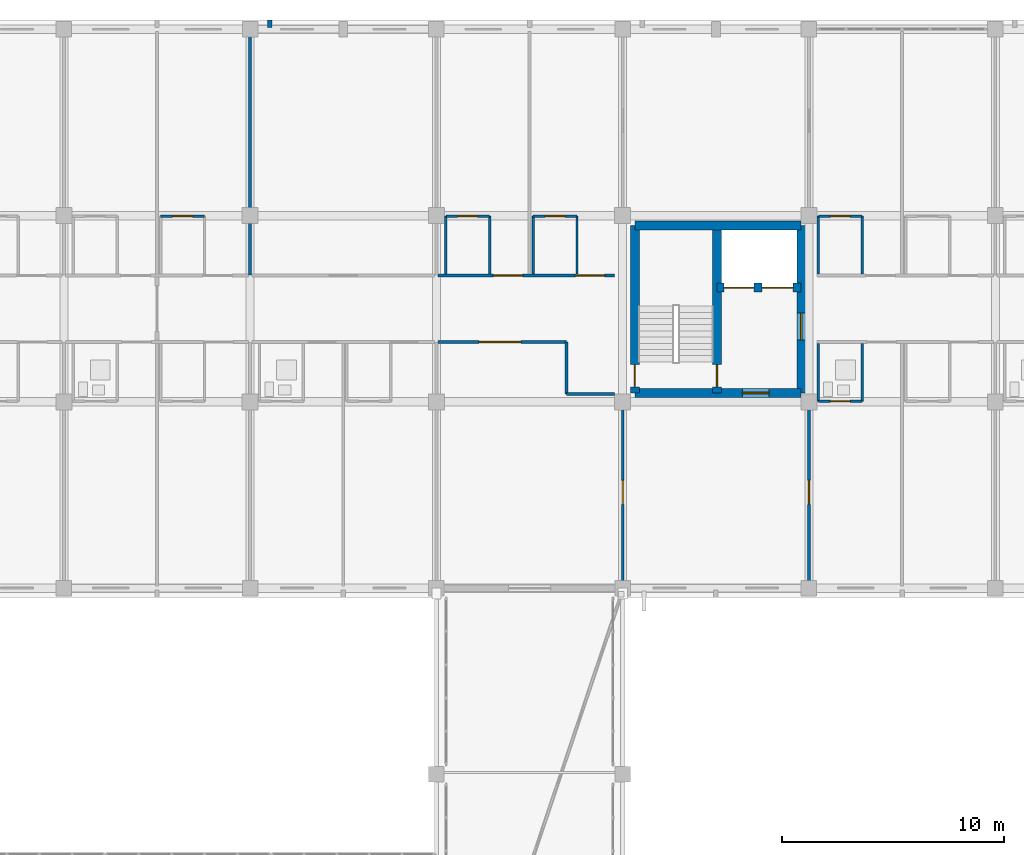
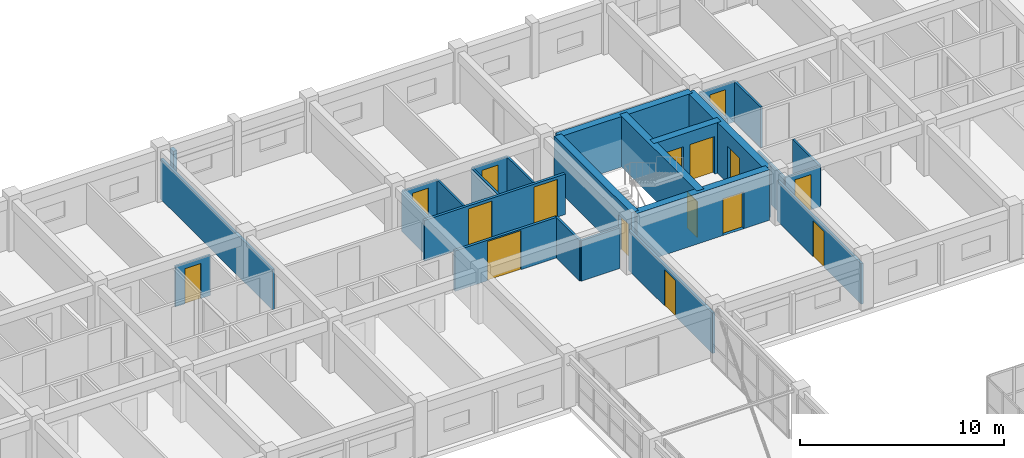
# One storey, part 127 of 148: 27 walls, 16 doors, 16 openings.
"""IFC4 building model written with IfcOpenShell, lengths in metres."""

import ifcopenshell
import ifcopenshell.guid

model = None  # the IFC model being written
_history = None  # IfcOwnerHistory: only IFC2X3 demands one
_inside = {}  # id of a spatial element -> (the spatial element, [elements in it])
_under = {}  # id of a project, library or spatial element -> (it, [spatial elements below it])
_declared = {}  # id of a project -> (the project, [libraries it declares])
_typed = {}  # id of a type object -> (the type object, [elements of that type])
_made_of = {}  # id of a material, layer set ... -> (it, [elements and type objects made of it])


def new_model(schema):
    """Start an empty IFC model of exactly this schema.

    Asked for "IFC4X3", IfcOpenShell would pick the latest addendum, in which some entities
    have other attributes; the version numbers below select the first issue.
    IFC2X3 requires an IfcOwnerHistory on every rooted entity: one is made here for all.
    """
    global model, _history
    if schema == "IFC4X3":
        model = ifcopenshell.file(schema_version=(4, 3, 0, 0))
    else:
        model = ifcopenshell.file(schema=schema)
    _inside.clear()
    _under.clear()
    _declared.clear()
    _typed.clear()
    _made_of.clear()
    _history = None
    if model.schema == "IFC2X3":
        org = make("IfcOrganization", Name="unknown")
        user = make(
            "IfcPersonAndOrganization",
            ThePerson=make("IfcPerson", FamilyName="unknown"),
            TheOrganization=org,
        )
        app = make(
            "IfcApplication",
            ApplicationDeveloper=org,
            Version="unknown",
            ApplicationFullName="unknown",
            ApplicationIdentifier="unknown",
        )
        _history = make(
            "IfcOwnerHistory",
            OwningUser=user,
            OwningApplication=app,
            ChangeAction="ADDED",
            CreationDate=0,
        )
    return model


def make(cls, **values):
    """One entity of the class cls with the attributes given. An attribute that is None is left unset."""
    return model.create_entity(
        cls, **{name: value for name, value in values.items() if value is not None}
    )


def rooted(cls, **values):
    """An entity with a GlobalId (a new one), such as an element, a storey or a relation."""
    return make(cls, GlobalId=ifcopenshell.guid.new(), OwnerHistory=_history, **values)


def si_unit(unit_type, name, prefix=None):
    """IfcSIUnit, for example si_unit("LENGTHUNIT", "METRE", prefix="MILLI")."""
    return make("IfcSIUnit", UnitType=unit_type, Prefix=prefix, Name=name)


def assignment(units):
    """IfcUnitAssignment: the units of a project."""
    return None if units is None else make("IfcUnitAssignment", Units=units)


def point(xyz):
    """IfcCartesianPoint."""
    return None if xyz is None else make("IfcCartesianPoint", Coordinates=xyz)


def direction(xyz):
    """IfcDirection."""
    return None if xyz is None else make("IfcDirection", DirectionRatios=xyz)


def frame(location, z_axis=None, x_axis=None):
    """IfcAxis2Placement3D, a coordinate frame: its origin and axes. An axis left out is left unset."""
    return make(
        "IfcAxis2Placement3D",
        Location=point(location),
        Axis=direction(z_axis),
        RefDirection=direction(x_axis),
    )


def frame_2d(location, x_axis=None):
    """IfcAxis2Placement2D, a coordinate frame in the plane: its origin and x axis."""
    return make(
        "IfcAxis2Placement2D", Location=point(location), RefDirection=direction(x_axis)
    )


def origin():
    """The frame at (0, 0, 0) with its axes left unset."""
    return frame((0.0, 0.0, 0.0))


def place(relative_to, where):
    """IfcLocalPlacement: puts the frame where relative to a parent placement (None: the world)."""
    return make(
        "IfcLocalPlacement", PlacementRelTo=relative_to, RelativePlacement=where
    )


def context(
    kind, dimensions, precision=None, world=None, true_north=None, identifier=None
):
    """IfcGeometricRepresentationContext, for example the 3D "Model" context."""
    return make(
        "IfcGeometricRepresentationContext",
        ContextIdentifier=identifier,
        ContextType=kind,
        CoordinateSpaceDimension=dimensions,
        Precision=precision,
        WorldCoordinateSystem=world,
        TrueNorth=true_north,
    )


def subcontext(parent, identifier, kind, view, scale=None):
    """IfcGeometricRepresentationSubContext, for example "Body" below "Model"."""
    return make(
        "IfcGeometricRepresentationSubContext",
        ContextIdentifier=identifier,
        ContextType=kind,
        ParentContext=parent,
        TargetScale=scale,
        TargetView=view,
    )


def project(units=None, contexts=None):
    """IfcProject with its units and contexts."""
    return rooted(
        "IfcProject",
        Name="project",
        RepresentationContexts=contexts,
        UnitsInContext=assignment(units),
    )


def spatial(cls, under=None, at=None, **own):
    """A site, building, storey or space (cls), placed at a placement, below another one or the project."""
    s = rooted(cls, ObjectPlacement=at, **own)
    if under is not None:
        _under.setdefault(under.id(), (under, []))[1].append(s)
    return s


def profile(cls, at=None, kind="AREA", **sizes):
    """A parametric profile (cls). Its sizes go by their IFC names, for example OverallWidth=200.0."""
    return make(cls, ProfileType=kind, Position=at, **sizes)


def rectangle(**sizes):
    """IfcRectangleProfileDef."""
    return profile("IfcRectangleProfileDef", **sizes)


def extrude(swept, where, along, depth):
    """IfcExtrudedAreaSolid: the profile swept, set in the frame where, extruded along a direction by depth."""
    return make(
        "IfcExtrudedAreaSolid",
        SweptArea=swept,
        Position=where,
        ExtrudedDirection=direction(along),
        Depth=depth,
    )


def shape(context_of_items, identifier, shape_type, items):
    """IfcShapeRepresentation: the items that make up one representation, for example the "Body"."""
    return make(
        "IfcShapeRepresentation",
        ContextOfItems=context_of_items,
        RepresentationIdentifier=identifier,
        RepresentationType=shape_type,
        Items=items,
    )


def material(Name=None, Category=None):
    """IfcMaterial."""
    return make("IfcMaterial", Name=Name, Category=Category)


def layer(
    of_material, thickness, ventilated=None, Name=None, Category=None, Priority=None
):
    """IfcMaterialLayer: one layer of a wall or slab, of a material (None: an air gap)."""
    return make(
        "IfcMaterialLayer",
        Material=of_material,
        LayerThickness=thickness,
        IsVentilated=ventilated,
        Name=Name,
        Category=Category,
        Priority=Priority,
    )


def layer_set(layers, Name=None):
    """IfcMaterialLayerSet."""
    return make("IfcMaterialLayerSet", MaterialLayers=layers, LayerSetName=Name)


def made_of(thing, what):
    """Note that an element or type object is made of a material, layer set ...; save() writes the relation."""
    if what is not None:
        _made_of.setdefault(what.id(), (what, []))[1].append(thing)
    return thing


def type_object(cls, material=None, **own):
    """A type object (cls), such as IfcWallType, which elements share."""
    return made_of(rooted(cls, **own), material)


def element(
    cls,
    number,
    at=None,
    inside=None,
    cuts=None,
    type_object=None,
    material=None,
    context=None,
    identifier="Body",
    shape_type=None,
    held_by="IfcProductDefinitionShape",
    body=None,
    shapes=None,
    **own,
):
    """One element of the class cls, such as IfcWall. Its Tag is "e" and its number.

    at: its placement. inside: the storey or other place that contains it. cuts: it is an
    opening in that element (IfcRelVoidsElement). A single representation is given by context,
    identifier, shape_type and body (its items); several are given by shapes. held_by: the class
    of the entity that holds the representations. save() writes the other relations.
    """
    e = rooted(cls, Tag="e%d" % number, ObjectPlacement=at, **own)
    if body is not None:
        shapes = [shape(context, identifier, shape_type, body)]
    if shapes is not None:
        e.Representation = make(held_by, Representations=shapes)
    if inside is not None:
        _inside.setdefault(inside.id(), (inside, []))[1].append(e)
    if cuts is not None:
        rooted(
            "IfcRelVoidsElement", RelatingBuildingElement=cuts, RelatedOpeningElement=e
        )
    if type_object is not None:
        _typed.setdefault(type_object.id(), (type_object, []))[1].append(e)
    return made_of(e, material)


def fill(opening, filler):
    """IfcRelFillsElement: the door or window that sits in an opening."""
    return rooted(
        "IfcRelFillsElement",
        RelatingOpeningElement=opening,
        RelatedBuildingElement=filler,
    )


def aggregate(whole, parts):
    """IfcRelAggregates: a whole, such as a stair, and the parts it consists of."""
    return rooted("IfcRelAggregates", RelatingObject=whole, RelatedObjects=parts)


def save(model, path):
    """Write the relations noted so far, then the file.

    IfcRelAggregates (storeys below a building ...), IfcRelContainedInSpatialStructure (elements
    in a storey), IfcRelDefinesByType, IfcRelAssociatesMaterial and IfcRelDeclares: one each for
    every whole, place, type object, material and project.
    """
    for whole, parts in _under.values():
        aggregate(whole, parts)
    for where, things in _inside.values():
        rooted(
            "IfcRelContainedInSpatialStructure",
            RelatedElements=things,
            RelatingStructure=where,
        )
    for kind, things in _typed.values():
        rooted("IfcRelDefinesByType", RelatedObjects=things, RelatingType=kind)
    for what, things in _made_of.values():
        rooted("IfcRelAssociatesMaterial", RelatedObjects=things, RelatingMaterial=what)
    for by, libraries in _declared.values():
        rooted("IfcRelDeclares", RelatingContext=by, RelatedDefinitions=libraries)
    model.write(path)


model = new_model("IFC4")

# Units and contexts
model_context = context("Model", 3, precision=1e-05, world=origin(), true_north=direction((0.0, 1.0)))
body_context = subcontext(model_context, "Body", "Model", "MODEL_VIEW")
ifc_project = project(units=[si_unit("LENGTHUNIT", "METRE"), si_unit("AREAUNIT", "SQUARE_METRE"), si_unit("VOLUMEUNIT", "CUBIC_METRE"), si_unit("PLANEANGLEUNIT", "RADIAN"), si_unit("MASSUNIT", "GRAM", prefix="KILO")], contexts=[model_context])

# Site, building, storey
site_placement = place(None, origin())
site = spatial("IfcSite", under=ifc_project, at=site_placement, CompositionType="ELEMENT")
building_placement = place(site_placement, origin())
building = spatial("IfcBuilding", under=site, at=building_placement, Name="Trelvath General Hospital", CompositionType="ELEMENT")
storey_placement = place(building_placement, frame((0.0, 0.0, 12.89990234375)))
storey = spatial("IfcBuildingStorey", under=building, at=storey_placement, Name="L03", CompositionType="ELEMENT", Elevation=12.89990234375)

# Wall
ifc_material_1 = material(Name="Precast concrete C40/50", Category="concrete")
ifc_layer_1 = layer(ifc_material_1, 0.199951171875)
ifc_layer_set_1 = layer_set([ifc_layer_1], Name="Precast concrete C40/50")
wall_type_1 = type_object("IfcWallType", Name="BriseSoleilRib 200", PredefinedType="ELEMENTEDWALL", material=ifc_layer_set_1)
wall_1_placement = place(storey_placement, frame((68.084716796875, 117.675048828125, 0.0), z_axis=(0.0, 0.0, 1.0), x_axis=(0.0, 1.0, 0.0)))
element("IfcWall", 1, at=wall_1_placement, inside=storey, type_object=wall_type_1, Name="Precast Concrete Brise-Soleil Rib Fin L03-271", PredefinedType="ELEMENTEDWALL", context=body_context, shape_type="SweptSolid", body=[
    extrude(rectangle(XDim=0.33984375, YDim=0.199951171875, at=frame_2d((0.169921875, 0.0))), origin(), (0.0, 0.0, 1.0), 2.420166015625),
])

# Wall, opening, door
ifc_material_2 = material(Name="Gypsum acoustic steel-stud partition", Category="steel")
ifc_layer_2 = layer(ifc_material_2, 0.14990234375)
ifc_layer_set_2 = layer_set([ifc_layer_2], Name="Gypsum acoustic steel-stud partition")
wall_type_2 = type_object("IfcWallType", Name="ClinicalPartition 150", PredefinedType="PARTITIONING", material=ifc_layer_set_2)
wall_2_placement = place(storey_placement, frame((75.679931640625, 103.5, 0.0), z_axis=(0.0, 0.0, 1.0), x_axis=(1.0, 0.0, 0.0)))
wall_2 = element("IfcWall", 2, at=wall_2_placement, inside=storey, type_object=wall_type_2, Name="Bridge Lounge Partition L03-1307", PredefinedType="PARTITIONING", context=body_context, shape_type="SweptSolid", body=[
    extrude(rectangle(XDim=5.780029296875, YDim=0.14990234375, at=frame_2d((2.89013671875, 0.0))), origin(), (0.0, 0.0, 1.0), 2.420166015625),
])
opening_1_placement = place(wall_2_placement, frame((1.830078125, 0.0, 0.0)))
opening_1 = element("IfcOpeningElement", 3, at=opening_1_placement, cuts=wall_2, Name="Opening D-3-0939", PredefinedType="OPENING", context=body_context, shape_type="SweptSolid", body=[
    extrude(rectangle(XDim=1.89990234375, YDim=2.340087890625, at=frame_2d((0.949951171875, 1.169921875))), frame((0.0, 0.0849609375, 0.0), z_axis=(0.0, -1.0, 0.0), x_axis=(1.0, 0.0, 0.0)), (0.0, 0.0, 1.0), 0.169921875),
])
ifc_material_3 = material(Name="Thermally broken glazed aluminium pair", Category="aluminium")
door_type_1 = type_object("IfcDoorType", Name="Door BridgeEntry 1900x2400", OperationType="DOUBLE_SWING_LEFT", PredefinedType="DOOR", material=ifc_material_3)
door_1_placement = place(opening_1_placement, origin())
door_1 = element("IfcDoor", 4, at=door_1_placement, inside=storey, type_object=door_type_1, Name="Bridge Lounge Door L03-939", OperationType="DOUBLE_SWING_LEFT", OverallHeight=2.340087890625, OverallWidth=1.89990234375, PredefinedType="DOOR", context=body_context, shape_type="SweptSolid", body=[
    extrude(rectangle(XDim=1.89990234375, YDim=2.340087890625, at=frame_2d((0.949951171875, 1.169921875))), frame((0.0, 0.02490234375, 0.0), z_axis=(0.0, -1.0, 0.0), x_axis=(1.0, 0.0, 0.0)), (0.0, 0.0, 1.0), 0.050048828125),
])
fill(opening_1, door_1)

# Wall, openings, doors
wall_3_placement = place(storey_placement, frame((83.639892578125, 106.5, 0.0), z_axis=(0.0, 0.0, 1.0), x_axis=(-1.0, 0.0, 0.0)))
wall_3 = element("IfcWall", 5, at=wall_3_placement, inside=storey, type_object=wall_type_2, Name="Corridor Partition N L03-1310", PredefinedType="PARTITIONING", context=body_context, shape_type="SweptSolid", body=[
    extrude(rectangle(XDim=7.9599609375, YDim=0.14990234375, at=frame_2d((3.97998046875, 0.0))), origin(), (0.0, 0.0, 1.0), 2.420166015625),
])
opening_2_placement = place(wall_3_placement, frame((0.449951171875, 0.0, 0.0)))
opening_2 = element("IfcOpeningElement", 6, at=opening_2_placement, cuts=wall_3, Name="Opening D-3-0940", PredefinedType="OPENING", context=body_context, shape_type="SweptSolid", body=[
    extrude(rectangle(XDim=1.320068359375, YDim=2.25, at=frame_2d((0.66015625, 1.125))), frame((0.0, 0.0849609375, 0.0), z_axis=(0.0, -1.0, 0.0), x_axis=(1.0, 0.0, 0.0)), (0.0, 0.0, 1.0), 0.169921875),
])
opening_3_placement = place(wall_3_placement, frame((4.14990234375, 0.0, 0.0)))
opening_3 = element("IfcOpeningElement", 7, at=opening_3_placement, cuts=wall_3, Name="Opening D-3-0941", PredefinedType="OPENING", context=body_context, shape_type="SweptSolid", body=[
    extrude(rectangle(XDim=1.320068359375, YDim=2.25, at=frame_2d((0.66015625, 1.125))), frame((0.0, 0.0849609375, 0.0), z_axis=(0.0, -1.0, 0.0), x_axis=(1.0, 0.0, 0.0)), (0.0, 0.0, 1.0), 0.169921875),
])
ifc_material_4 = material(Name="Maternity bed-leaf timber door", Category="wood")
door_type_2 = type_object("IfcDoorType", Name="Door PatientMaternity 1320x2250", OperationType="NOTDEFINED", PredefinedType="DOOR", material=ifc_material_4)
door_2_placement = place(opening_2_placement, origin())
door_2 = element("IfcDoor", 8, at=door_2_placement, inside=storey, type_object=door_type_2, Name="Patient Room Door N L03-940", OperationType="SINGLE_SWING_LEFT", OverallHeight=2.25, OverallWidth=1.320068359375, PredefinedType="DOOR", context=body_context, shape_type="SweptSolid", body=[
    extrude(rectangle(XDim=1.320068359375, YDim=2.25, at=frame_2d((0.66015625, 1.125))), frame((0.0, 0.02490234375, 0.0), z_axis=(0.0, -1.0, 0.0), x_axis=(1.0, 0.0, 0.0)), (0.0, 0.0, 1.0), 0.050048828125),
])
fill(opening_2, door_2)
door_3_placement = place(opening_3_placement, origin())
door_3 = element("IfcDoor", 9, at=door_3_placement, inside=storey, type_object=door_type_2, Name="Patient Room Door N L03-941", OperationType="SINGLE_SWING_LEFT", OverallHeight=2.25, OverallWidth=1.320068359375, PredefinedType="DOOR", context=body_context, shape_type="SweptSolid", body=[
    extrude(rectangle(XDim=1.320068359375, YDim=2.25, at=frame_2d((0.66015625, 1.125))), frame((0.0, 0.02490234375, 0.0), z_axis=(0.0, -1.0, 0.0), x_axis=(1.0, 0.0, 0.0)), (0.0, 0.0, 1.0), 0.050048828125),
])
fill(opening_3, door_3)

# Wall, opening, door
ifc_material_5 = material(Name="Concrete C40/50", Category="concrete")
ifc_layer_3 = layer(ifc_material_5, 0.39990234375)
ifc_layer_set_3 = layer_set([ifc_layer_3], Name="Concrete C40/50")
wall_type_3 = type_object("IfcWallType", Name="CoreShearWall 400", PredefinedType="SHEAR", material=ifc_layer_set_3)
wall_4_placement = place(storey_placement, frame((84.550048828125, 101.199951171875, 0.0), z_axis=(0.0, 0.0, 1.0), x_axis=(1.0, 0.0, 0.0)))
wall_4 = element("IfcWall", 10, at=wall_4_placement, inside=storey, type_object=wall_type_3, Name="Core Shear Wall C2 S L03", PredefinedType="SHEAR", context=body_context, shape_type="SweptSolid", body=[
    extrude(rectangle(XDim=7.5, YDim=0.39990234375, at=frame_2d((3.75, 0.0))), origin(), (0.0, 0.0, 1.0), 3.02001953125),
])
opening_4_placement = place(wall_4_placement, frame((4.85009765625, 0.0, 0.0)))
opening_4 = element("IfcOpeningElement", 11, at=opening_4_placement, cuts=wall_4, Name="Opening FD-LS23", PredefinedType="OPENING", context=body_context, shape_type="SweptSolid", body=[
    extrude(rectangle(XDim=1.199951171875, YDim=2.199951171875, at=frame_2d((0.60009765625, 1.10009765625))), frame((0.0, 0.2099609375, 0.0), z_axis=(0.0, -1.0, 0.0), x_axis=(1.0, 0.0, 0.0)), (0.0, 0.0, 1.0), 0.419921875),
])
ifc_material_6 = material(Name="Fire-rated steel door", Category="steel")
door_type_3 = type_object("IfcDoorType", Name="Door FireLobby 1200x2200", OperationType="NOTDEFINED", PredefinedType="DOOR", material=ifc_material_6)
door_4_placement = place(opening_4_placement, origin())
door_4 = element("IfcDoor", 12, at=door_4_placement, inside=storey, type_object=door_type_3, Name="Fire Lobby South Door C2 L03", OperationType="SINGLE_SWING_RIGHT", OverallHeight=2.199951171875, OverallWidth=1.199951171875, PredefinedType="DOOR", context=body_context, shape_type="SweptSolid", body=[
    extrude(rectangle(XDim=1.199951171875, YDim=2.199951171875, at=frame_2d((0.60009765625, 1.10009765625))), frame((0.0, 0.02490234375, 0.0), z_axis=(0.0, -1.0, 0.0), x_axis=(1.0, 0.0, 0.0)), (0.0, 0.0, 1.0), 0.050048828125),
])
fill(opening_4, door_4)

# Wall
wall_5_placement = place(storey_placement, frame((84.550048828125, 108.75, 0.0), z_axis=(0.0, 0.0, 1.0), x_axis=(1.0, 0.0, 0.0)))
element("IfcWall", 13, at=wall_5_placement, inside=storey, type_object=wall_type_3, Name="Core Shear Wall C2 N L03", PredefinedType="SHEAR", context=body_context, shape_type="SweptSolid", body=[
    extrude(rectangle(XDim=7.5, YDim=0.39990234375, at=frame_2d((3.75, 0.0))), origin(), (0.0, 0.0, 1.0), 3.02001953125),
])

# Wall, opening, door
wall_6_placement = place(storey_placement, frame((84.550048828125, 101.199951171875, 0.0), z_axis=(0.0, 0.0, 1.0), x_axis=(0.0, 1.0, 0.0)))
wall_6 = element("IfcWall", 14, at=wall_6_placement, inside=storey, type_object=wall_type_3, Name="Core Shear Wall C2 W L03", PredefinedType="SHEAR", context=body_context, shape_type="SweptSolid", body=[
    extrude(rectangle(XDim=7.550048828125, YDim=0.39990234375, at=frame_2d((3.77490234375, 0.0))), origin(), (0.0, 0.0, 1.0), 3.02001953125),
])
opening_5_placement = place(wall_6_placement, frame((0.280029296875, 0.0, 0.0)))
opening_5 = element("IfcOpeningElement", 15, at=opening_5_placement, cuts=wall_6, Name="Opening FD-SW23", PredefinedType="OPENING", context=body_context, shape_type="SweptSolid", body=[
    extrude(rectangle(XDim=1.0, YDim=2.14990234375, at=frame_2d((0.5, 1.074951171875))), frame((0.0, 0.2099609375, 0.0), z_axis=(0.0, -1.0, 0.0), x_axis=(1.0, 0.0, 0.0)), (0.0, 0.0, 1.0), 0.419921875),
])
ifc_material_7 = material(Name="Fire-rated steel door", Category="steel")
door_type_4 = type_object("IfcDoorType", Name="Door FireStair 1100x2150", OperationType="NOTDEFINED", PredefinedType="DOOR", material=ifc_material_7)
door_5_placement = place(opening_5_placement, origin())
door_5 = element("IfcDoor", 16, at=door_5_placement, inside=storey, type_object=door_type_4, Name="West Corridor Stair Door ST2 L03", OperationType="SINGLE_SWING_LEFT", OverallHeight=2.14990234375, OverallWidth=1.0, PredefinedType="DOOR", context=body_context, shape_type="SweptSolid", body=[
    extrude(rectangle(XDim=1.0, YDim=2.14990234375, at=frame_2d((0.5, 1.074951171875))), frame((0.0, 0.02490234375, 0.0), z_axis=(0.0, -1.0, 0.0), x_axis=(1.0, 0.0, 0.0)), (0.0, 0.0, 1.0), 0.050048828125),
])
fill(opening_5, door_5)

wall_7_placement = place(storey_placement, frame((92.050048828125, 101.199951171875, 0.0), z_axis=(0.0, 0.0, 1.0), x_axis=(0.0, 1.0, 0.0)))
wall_7 = element("IfcWall", 17, at=wall_7_placement, inside=storey, type_object=wall_type_3, Name="Core Shear Wall C2 E L03", PredefinedType="SHEAR", context=body_context, shape_type="SweptSolid", body=[
    extrude(rectangle(XDim=7.550048828125, YDim=0.39990234375, at=frame_2d((3.77490234375, 0.0))), origin(), (0.0, 0.0, 1.0), 3.02001953125),
])
opening_6_placement = place(wall_7_placement, frame((2.39990234375, 0.0, 0.0)))
opening_6 = element("IfcOpeningElement", 18, at=opening_6_placement, cuts=wall_7, Name="Opening FD-LE23", PredefinedType="OPENING", context=body_context, shape_type="SweptSolid", body=[
    extrude(rectangle(XDim=1.199951171875, YDim=2.199951171875, at=frame_2d((0.60009765625, 1.10009765625))), frame((0.0, 0.2099609375, 0.0), z_axis=(0.0, -1.0, 0.0), x_axis=(1.0, 0.0, 0.0)), (0.0, 0.0, 1.0), 0.419921875),
])
door_6_placement = place(opening_6_placement, origin())
door_6 = element("IfcDoor", 19, at=door_6_placement, inside=storey, type_object=door_type_3, Name="Fire Lobby East Corridor Door C2 L03", OperationType="SINGLE_SWING_LEFT", OverallHeight=2.199951171875, OverallWidth=1.199951171875, PredefinedType="DOOR", context=body_context, shape_type="SweptSolid", body=[
    extrude(rectangle(XDim=1.199951171875, YDim=2.199951171875, at=frame_2d((0.60009765625, 1.10009765625))), frame((0.0, 0.02490234375, 0.0), z_axis=(0.0, -1.0, 0.0), x_axis=(1.0, 0.0, 0.0)), (0.0, 0.0, 1.0), 0.050048828125),
])
fill(opening_6, door_6)

wall_8_placement = place(storey_placement, frame((88.25, 101.199951171875, 0.0), z_axis=(0.0, 0.0, 1.0), x_axis=(0.0, 1.0, 0.0)))
wall_8 = element("IfcWall", 20, at=wall_8_placement, inside=storey, type_object=wall_type_3, Name="Core Shear Wall C2 SPINE L03", PredefinedType="SHEAR", context=body_context, shape_type="SweptSolid", body=[
    extrude(rectangle(XDim=7.550048828125, YDim=0.39990234375, at=frame_2d((3.77490234375, 0.0))), origin(), (0.0, 0.0, 1.0), 3.02001953125),
])
opening_7_placement = place(wall_8_placement, frame((0.280029296875, 0.0, 0.0)))
opening_7 = element("IfcOpeningElement", 21, at=opening_7_placement, cuts=wall_8, Name="Opening FD-S23", PredefinedType="OPENING", context=body_context, shape_type="SweptSolid", body=[
    extrude(rectangle(XDim=1.0, YDim=2.14990234375, at=frame_2d((0.5, 1.074951171875))), frame((0.0, 0.2099609375, 0.0), z_axis=(0.0, -1.0, 0.0), x_axis=(1.0, 0.0, 0.0)), (0.0, 0.0, 1.0), 0.419921875),
])
door_7_placement = place(opening_7_placement, origin())
door_7 = element("IfcDoor", 22, at=door_7_placement, inside=storey, type_object=door_type_4, Name="Exit Stair Door ST2 L03", OperationType="SINGLE_SWING_RIGHT", OverallHeight=2.14990234375, OverallWidth=1.0, PredefinedType="DOOR", context=body_context, shape_type="SweptSolid", body=[
    extrude(rectangle(XDim=1.0, YDim=2.14990234375, at=frame_2d((0.5, 1.074951171875))), frame((0.0, 0.02490234375, 0.0), z_axis=(0.0, -1.0, 0.0), x_axis=(1.0, 0.0, 0.0)), (0.0, 0.0, 1.0), 0.050048828125),
])
fill(opening_7, door_7)

# Wall, openings, doors
wall_9_placement = place(storey_placement, frame((88.25, 105.949951171875, 0.0), z_axis=(0.0, 0.0, 1.0), x_axis=(1.0, 0.0, 0.0)))
wall_9 = element("IfcWall", 23, at=wall_9_placement, inside=storey, type_object=wall_type_3, Name="Core Shear Wall C2 SHAFT L03", PredefinedType="SHEAR", context=body_context, shape_type="SweptSolid", body=[
    extrude(rectangle(XDim=3.800048828125, YDim=0.39990234375, at=frame_2d((1.89990234375, 0.0))), origin(), (0.0, 0.0, 1.0), 3.02001953125),
])
opening_8_placement = place(wall_9_placement, frame((0.320068359375, 0.0, 0.0)))
opening_8 = element("IfcOpeningElement", 24, at=opening_8_placement, cuts=wall_9, Name="Opening LD-FF2-3", PredefinedType="OPENING", context=body_context, shape_type="SweptSolid", body=[
    extrude(rectangle(XDim=1.35009765625, YDim=2.25, at=frame_2d((0.675048828125, 1.125))), frame((0.0, 0.2099609375, 0.0), z_axis=(0.0, -1.0, 0.0), x_axis=(1.0, 0.0, 0.0)), (0.0, 0.0, 1.0), 0.419921875),
])
opening_9_placement = place(wall_9_placement, frame((2.0400390625, 0.0, 0.0)))
opening_9 = element("IfcOpeningElement", 25, at=opening_9_placement, cuts=wall_9, Name="Opening LD-BD2-3", PredefinedType="OPENING", context=body_context, shape_type="SweptSolid", body=[
    extrude(rectangle(XDim=1.39990234375, YDim=2.25, at=frame_2d((0.699951171875, 1.125))), frame((0.0, 0.2099609375, 0.0), z_axis=(0.0, -1.0, 0.0), x_axis=(1.0, 0.0, 0.0)), (0.0, 0.0, 1.0), 0.419921875),
])
ifc_material_8 = material(Name="Stainless steel stretcher lift landing door", Category="steel")
door_type_5 = type_object("IfcDoorType", Name="Door LiftBed 1400x2250", OperationType="SLIDING_TO_LEFT", PredefinedType="DOOR", material=ifc_material_8)
door_8_placement = place(opening_9_placement, origin())
door_8 = element("IfcDoor", 26, at=door_8_placement, inside=storey, type_object=door_type_5, Name="Lift Landing Sliding Door LF-BD2 L03", OperationType="SLIDING_TO_LEFT", OverallHeight=2.25, OverallWidth=1.39990234375, PredefinedType="DOOR", context=body_context, shape_type="SweptSolid", body=[
    extrude(rectangle(XDim=1.39990234375, YDim=2.25, at=frame_2d((0.699951171875, 1.125))), frame((0.0, 0.02490234375, 0.0), z_axis=(0.0, -1.0, 0.0), x_axis=(1.0, 0.0, 0.0)), (0.0, 0.0, 1.0), 0.050048828125),
])
fill(opening_9, door_8)
ifc_material_9 = material(Name="Fire-rated stainless lift landing door")
door_type_6 = type_object("IfcDoorType", Name="Door LiftFire 1350x2250", OperationType="SLIDING_TO_LEFT", PredefinedType="DOOR", material=ifc_material_9)
door_9_placement = place(opening_8_placement, origin())
door_9 = element("IfcDoor", 27, at=door_9_placement, inside=storey, type_object=door_type_6, Name="Lift Landing Sliding Door LF-FF2 L03", OperationType="SLIDING_TO_LEFT", OverallHeight=2.25, OverallWidth=1.35009765625, PredefinedType="DOOR", context=body_context, shape_type="SweptSolid", body=[
    extrude(rectangle(XDim=1.35009765625, YDim=2.25, at=frame_2d((0.675048828125, 1.125))), frame((0.0, 0.02490234375, 0.0), z_axis=(0.0, -1.0, 0.0), x_axis=(1.0, 0.0, 0.0)), (0.0, 0.0, 1.0), 0.050048828125),
])
fill(opening_8, door_9)

# Wall, opening, door
ifc_material_10 = material(Name="Moisture-resistant tile partition")
ifc_layer_4 = layer(ifc_material_10, 0.110107421875)
ifc_layer_set_4 = layer_set([ifc_layer_4], Name="Moisture-resistant tile partition")
wall_type_4 = type_object("IfcWallType", Name="EnSuiteWetWall 110", PredefinedType="PARTITIONING", material=ifc_layer_set_4)
wall_10_placement = place(storey_placement, frame((63.159912109375, 109.179931640625, 0.0), z_axis=(0.0, 0.0, 1.0), x_axis=(1.0, 0.0, 0.0)))
wall_10 = element("IfcWall", 28, at=wall_10_placement, inside=storey, type_object=wall_type_4, Name="En-Suite Bathroom N Partition L03-1292", PredefinedType="PARTITIONING", context=body_context, shape_type="SweptSolid", body=[
    extrude(rectangle(XDim=1.97998046875, YDim=0.110107421875, at=frame_2d((0.989990234375, 0.0))), origin(), (0.0, 0.0, 1.0), 2.420166015625),
])
opening_10_placement = place(wall_10_placement, frame((0.5400390625, 0.0, 0.0)))
opening_10 = element("IfcOpeningElement", 29, at=opening_10_placement, cuts=wall_10, Name="Opening D-3-0932", PredefinedType="OPENING", context=body_context, shape_type="SweptSolid", body=[
    extrude(rectangle(XDim=0.89990234375, YDim=2.10009765625, at=frame_2d((0.449951171875, 1.050048828125))), frame((0.0, 0.06494140625, 0.0), z_axis=(0.0, -1.0, 0.0), x_axis=(1.0, 0.0, 0.0)), (0.0, 0.0, 1.0), 0.130126953125),
])
ifc_material_11 = material(Name="Moisture-sealed timber leaf", Category="wood")
door_type_7 = type_object("IfcDoorType", Name="Door EnSuite 900x2100", OperationType="NOTDEFINED", PredefinedType="DOOR", material=ifc_material_11)
door_10_placement = place(opening_10_placement, origin())
door_10 = element("IfcDoor", 30, at=door_10_placement, inside=storey, type_object=door_type_7, Name="En-Suite Bathroom N Door L03-932", OperationType="SINGLE_SWING_LEFT", OverallHeight=2.10009765625, OverallWidth=0.89990234375, PredefinedType="DOOR", context=body_context, shape_type="SweptSolid", body=[
    extrude(rectangle(XDim=0.89990234375, YDim=2.10009765625, at=frame_2d((0.449951171875, 1.050048828125))), frame((0.0, 0.02490234375, 0.0), z_axis=(0.0, -1.0, 0.0), x_axis=(1.0, 0.0, 0.0)), (0.0, 0.0, 1.0), 0.050048828125),
])
fill(opening_10, door_10)

# Walls
for number, where, z_axis, x_axis, name in (
    (31, (76.02001953125, 106.570068359375, 0.0), (0.0, 0.0, 1.0), (0.0, 1.0, 0.0), "En-Suite W Wall N L03-1312"),
    (32, (78.0, 106.570068359375, 0.0), (0.0, 0.0, 1.0), (0.0, 1.0, 0.0), "En-Suite E Wall N L03-1313"),
):
    element("IfcWall", number, at=place(storey_placement, frame(where, z_axis=z_axis, x_axis=x_axis)), inside=storey, type_object=wall_type_4, Name=name, PredefinedType="PARTITIONING", context=body_context, shape_type="SweptSolid", body=[
        extrude(rectangle(XDim=2.60986328125, YDim=0.110107421875, at=frame_2d((1.304931640625, 0.0))), origin(), (0.0, 0.0, 1.0), 2.420166015625),
    ])

# Wall, opening, door
wall_11_placement = place(storey_placement, frame((76.02001953125, 109.179931640625, 0.0), z_axis=(0.0, 0.0, 1.0), x_axis=(1.0, 0.0, 0.0)))
wall_11 = element("IfcWall", 33, at=wall_11_placement, inside=storey, type_object=wall_type_4, Name="En-Suite Bathroom N Partition L03-1314", PredefinedType="PARTITIONING", context=body_context, shape_type="SweptSolid", body=[
    extrude(rectangle(XDim=1.97998046875, YDim=0.110107421875, at=frame_2d((0.989990234375, 0.0))), origin(), (0.0, 0.0, 1.0), 2.420166015625),
])
opening_11_placement = place(wall_11_placement, frame((0.5400390625, 0.0, 0.0)))
opening_11 = element("IfcOpeningElement", 34, at=opening_11_placement, cuts=wall_11, Name="Opening D-3-0942", PredefinedType="OPENING", context=body_context, shape_type="SweptSolid", body=[
    extrude(rectangle(XDim=0.89990234375, YDim=2.10009765625, at=frame_2d((0.449951171875, 1.050048828125))), frame((0.0, 0.06494140625, 0.0), z_axis=(0.0, -1.0, 0.0), x_axis=(1.0, 0.0, 0.0)), (0.0, 0.0, 1.0), 0.130126953125),
])
door_11_placement = place(opening_11_placement, origin())
door_11 = element("IfcDoor", 35, at=door_11_placement, inside=storey, type_object=door_type_7, Name="En-Suite Bathroom N Door L03-942", OperationType="SINGLE_SWING_RIGHT", OverallHeight=2.10009765625, OverallWidth=0.89990234375, PredefinedType="DOOR", context=body_context, shape_type="SweptSolid", body=[
    extrude(rectangle(XDim=0.89990234375, YDim=2.10009765625, at=frame_2d((0.449951171875, 1.050048828125))), frame((0.0, 0.02490234375, 0.0), z_axis=(0.0, -1.0, 0.0), x_axis=(1.0, 0.0, 0.0)), (0.0, 0.0, 1.0), 0.050048828125),
])
fill(opening_11, door_11)

# Walls
for number, where, z_axis, x_axis, name in (
    (36, (79.9599609375, 106.570068359375, 0.0), (0.0, 0.0, 1.0), (0.0, 1.0, 0.0), "En-Suite W Wall N L03-1315"),
    (37, (81.93994140625, 106.570068359375, 0.0), (0.0, 0.0, 1.0), (0.0, 1.0, 0.0), "En-Suite E Wall N L03-1316"),
):
    element("IfcWall", number, at=place(storey_placement, frame(where, z_axis=z_axis, x_axis=x_axis)), inside=storey, type_object=wall_type_4, Name=name, PredefinedType="PARTITIONING", context=body_context, shape_type="SweptSolid", body=[
        extrude(rectangle(XDim=2.60986328125, YDim=0.110107421875, at=frame_2d((1.304931640625, 0.0))), origin(), (0.0, 0.0, 1.0), 2.420166015625),
    ])

# Wall, opening, door
wall_12_placement = place(storey_placement, frame((79.9599609375, 109.179931640625, 0.0), z_axis=(0.0, 0.0, 1.0), x_axis=(1.0, 0.0, 0.0)))
wall_12 = element("IfcWall", 38, at=wall_12_placement, inside=storey, type_object=wall_type_4, Name="En-Suite Bathroom N Partition L03-1317", PredefinedType="PARTITIONING", context=body_context, shape_type="SweptSolid", body=[
    extrude(rectangle(XDim=1.97998046875, YDim=0.110107421875, at=frame_2d((0.989990234375, 0.0))), origin(), (0.0, 0.0, 1.0), 2.420166015625),
])
opening_12_placement = place(wall_12_placement, frame((0.5400390625, 0.0, 0.0)))
opening_12 = element("IfcOpeningElement", 39, at=opening_12_placement, cuts=wall_12, Name="Opening D-3-0943", PredefinedType="OPENING", context=body_context, shape_type="SweptSolid", body=[
    extrude(rectangle(XDim=0.89990234375, YDim=2.10009765625, at=frame_2d((0.449951171875, 1.050048828125))), frame((0.0, 0.06494140625, 0.0), z_axis=(0.0, -1.0, 0.0), x_axis=(1.0, 0.0, 0.0)), (0.0, 0.0, 1.0), 0.130126953125),
])
door_12_placement = place(opening_12_placement, origin())
door_12 = element("IfcDoor", 40, at=door_12_placement, inside=storey, type_object=door_type_7, Name="En-Suite Bathroom N Door L03-943", OperationType="SINGLE_SWING_LEFT", OverallHeight=2.10009765625, OverallWidth=0.89990234375, PredefinedType="DOOR", context=body_context, shape_type="SweptSolid", body=[
    extrude(rectangle(XDim=0.89990234375, YDim=2.10009765625, at=frame_2d((0.449951171875, 1.050048828125))), frame((0.0, 0.02490234375, 0.0), z_axis=(0.0, -1.0, 0.0), x_axis=(1.0, 0.0, 0.0)), (0.0, 0.0, 1.0), 0.050048828125),
])
fill(opening_12, door_12)

# Walls
for number, where, z_axis, x_axis, name in (
    (41, (92.820068359375, 100.820068359375, 0.0), (0.0, 0.0, 1.0), (0.0, 1.0, 0.0), "En-Suite W Wall L03-1324"),
    (42, (94.800048828125, 100.820068359375, 0.0), (0.0, 0.0, 1.0), (0.0, 1.0, 0.0), "En-Suite E Wall L03-1325"),
):
    element("IfcWall", number, at=place(storey_placement, frame(where, z_axis=z_axis, x_axis=x_axis)), inside=storey, type_object=wall_type_4, Name=name, PredefinedType="PARTITIONING", context=body_context, shape_type="SweptSolid", body=[
        extrude(rectangle(XDim=2.60986328125, YDim=0.110107421875, at=frame_2d((1.304931640625, 0.0))), origin(), (0.0, 0.0, 1.0), 2.420166015625),
    ])

# Wall, opening, door
wall_13_placement = place(storey_placement, frame((92.820068359375, 100.820068359375, 0.0), z_axis=(0.0, 0.0, 1.0), x_axis=(1.0, 0.0, 0.0)))
wall_13 = element("IfcWall", 43, at=wall_13_placement, inside=storey, type_object=wall_type_4, Name="En-Suite Bathroom Partition L03-1326", PredefinedType="PARTITIONING", context=body_context, shape_type="SweptSolid", body=[
    extrude(rectangle(XDim=1.97998046875, YDim=0.110107421875, at=frame_2d((0.989990234375, 0.0))), origin(), (0.0, 0.0, 1.0), 2.420166015625),
])
opening_13_placement = place(wall_13_placement, frame((0.5400390625, 0.0, 0.0)))
opening_13 = element("IfcOpeningElement", 44, at=opening_13_placement, cuts=wall_13, Name="Opening D-3-0950", PredefinedType="OPENING", context=body_context, shape_type="SweptSolid", body=[
    extrude(rectangle(XDim=0.89990234375, YDim=2.10009765625, at=frame_2d((0.449951171875, 1.050048828125))), frame((0.0, 0.06494140625, 0.0), z_axis=(0.0, -1.0, 0.0), x_axis=(1.0, 0.0, 0.0)), (0.0, 0.0, 1.0), 0.130126953125),
])
door_13_placement = place(opening_13_placement, origin())
door_13 = element("IfcDoor", 45, at=door_13_placement, inside=storey, type_object=door_type_7, Name="En-Suite Bathroom Door L03-950", OperationType="SINGLE_SWING_RIGHT", OverallHeight=2.10009765625, OverallWidth=0.89990234375, PredefinedType="DOOR", context=body_context, shape_type="SweptSolid", body=[
    extrude(rectangle(XDim=0.89990234375, YDim=2.10009765625, at=frame_2d((0.449951171875, 1.050048828125))), frame((0.0, 0.02490234375, 0.0), z_axis=(0.0, -1.0, 0.0), x_axis=(1.0, 0.0, 0.0)), (0.0, 0.0, 1.0), 0.050048828125),
])
fill(opening_13, door_13)

# Walls
for number, where, z_axis, x_axis, name in (
    (46, (92.820068359375, 106.570068359375, 0.0), (0.0, 0.0, 1.0), (0.0, 1.0, 0.0), "En-Suite W Wall N L03-1332"),
    (47, (94.800048828125, 106.570068359375, 0.0), (0.0, 0.0, 1.0), (0.0, 1.0, 0.0), "En-Suite E Wall N L03-1333"),
):
    element("IfcWall", number, at=place(storey_placement, frame(where, z_axis=z_axis, x_axis=x_axis)), inside=storey, type_object=wall_type_4, Name=name, PredefinedType="PARTITIONING", context=body_context, shape_type="SweptSolid", body=[
        extrude(rectangle(XDim=2.60986328125, YDim=0.110107421875, at=frame_2d((1.304931640625, 0.0))), origin(), (0.0, 0.0, 1.0), 2.420166015625),
    ])

# Wall, opening, door
wall_14_placement = place(storey_placement, frame((92.820068359375, 109.179931640625, 0.0), z_axis=(0.0, 0.0, 1.0), x_axis=(1.0, 0.0, 0.0)))
wall_14 = element("IfcWall", 48, at=wall_14_placement, inside=storey, type_object=wall_type_4, Name="En-Suite Bathroom N Partition L03-1334", PredefinedType="PARTITIONING", context=body_context, shape_type="SweptSolid", body=[
    extrude(rectangle(XDim=1.97998046875, YDim=0.110107421875, at=frame_2d((0.989990234375, 0.0))), origin(), (0.0, 0.0, 1.0), 2.420166015625),
])
opening_14_placement = place(wall_14_placement, frame((0.5400390625, 0.0, 0.0)))
opening_14 = element("IfcOpeningElement", 49, at=opening_14_placement, cuts=wall_14, Name="Opening D-3-0954", PredefinedType="OPENING", context=body_context, shape_type="SweptSolid", body=[
    extrude(rectangle(XDim=0.89990234375, YDim=2.10009765625, at=frame_2d((0.449951171875, 1.050048828125))), frame((0.0, 0.06494140625, 0.0), z_axis=(0.0, -1.0, 0.0), x_axis=(1.0, 0.0, 0.0)), (0.0, 0.0, 1.0), 0.130126953125),
])
door_14_placement = place(opening_14_placement, origin())
door_14 = element("IfcDoor", 50, at=door_14_placement, inside=storey, type_object=door_type_7, Name="En-Suite Bathroom N Door L03-954", OperationType="SINGLE_SWING_LEFT", OverallHeight=2.10009765625, OverallWidth=0.89990234375, PredefinedType="DOOR", context=body_context, shape_type="SweptSolid", body=[
    extrude(rectangle(XDim=0.89990234375, YDim=2.10009765625, at=frame_2d((0.449951171875, 1.050048828125))), frame((0.0, 0.02490234375, 0.0), z_axis=(0.0, -1.0, 0.0), x_axis=(1.0, 0.0, 0.0)), (0.0, 0.0, 1.0), 0.050048828125),
])
fill(opening_14, door_14)

# Walls
ifc_material_12 = material(Name="Gypsum acoustic steel-stud partition", Category="steel")
ifc_layer_5 = layer(ifc_material_12, 0.1298828125)
ifc_layer_set_5 = layer_set([ifc_layer_5], Name="Gypsum acoustic steel-stud partition")
wall_type_5 = type_object("IfcWallType", Name="WardPartition 130", PredefinedType="PARTITIONING", material=ifc_layer_set_5)
wall_15_placement = place(storey_placement, frame((67.199951171875, 106.52001953125, 0.0), z_axis=(0.0, 0.0, 1.0), x_axis=(0.0, 1.0, 0.0)))
element("IfcWall", 51, at=wall_15_placement, inside=storey, type_object=wall_type_5, Name="Inter-Bay Ward Partition N L03-1295", PredefinedType="PARTITIONING", context=body_context, shape_type="SweptSolid", body=[
    extrude(rectangle(XDim=10.93994140625, YDim=0.1298828125, at=frame_2d((5.469970703125, 0.0))), origin(), (0.0, 0.0, 1.0), 2.420166015625),
])
wall_16_placement = place(storey_placement, frame((81.4599609375, 101.159912109375, 0.0), z_axis=(0.0, 0.0, 1.0), x_axis=(0.0, 1.0, 0.0)))
element("IfcWall", 52, at=wall_16_placement, inside=storey, type_object=wall_type_5, Name="Nurse Alcove Partition L03-1308", PredefinedType="PARTITIONING", context=body_context, shape_type="SweptSolid", body=[
    extrude(rectangle(XDim=2.340087890625, YDim=0.1298828125, at=frame_2d((1.169921875, 0.0))), origin(), (0.0, 0.0, 1.0), 2.420166015625),
])
wall_17_placement = place(storey_placement, frame((81.4599609375, 101.159912109375, 0.0), z_axis=(0.0, 0.0, 1.0), x_axis=(1.0, 0.0, 0.0)))
element("IfcWall", 53, at=wall_17_placement, inside=storey, type_object=wall_type_5, Name="Bridge Alcove Return L03-1309", PredefinedType="PARTITIONING", context=body_context, shape_type="SweptSolid", body=[
    extrude(rectangle(XDim=2.179931640625, YDim=0.1298828125, at=frame_2d((1.08984375, 0.0))), origin(), (0.0, 0.0, 1.0), 2.420166015625),
])

# Wall, opening, door
wall_18_placement = place(storey_placement, frame((84.0, 92.5400390625, 0.0), z_axis=(0.0, 0.0, 1.0), x_axis=(0.0, 1.0, 0.0)))
wall_18 = element("IfcWall", 54, at=wall_18_placement, inside=storey, type_object=wall_type_5, Name="Inter-Bay Ward Partition S L03-1318", PredefinedType="PARTITIONING", context=body_context, shape_type="SweptSolid", body=[
    extrude(rectangle(XDim=8.2099609375, YDim=0.1298828125, at=frame_2d((4.10498046875, 0.0))), origin(), (0.0, 0.0, 1.0), 2.420166015625),
])
opening_15_placement = place(wall_18_placement, frame((3.639892578125, 0.0, 0.0)))
opening_15 = element("IfcOpeningElement", 55, at=opening_15_placement, cuts=wall_18, Name="Opening D-3-0944", PredefinedType="OPENING", context=body_context, shape_type="SweptSolid", body=[
    extrude(rectangle(XDim=1.080078125, YDim=2.14990234375, at=frame_2d((0.5400390625, 1.074951171875))), frame((0.0, 0.074951171875, 0.0), z_axis=(0.0, -1.0, 0.0), x_axis=(1.0, 0.0, 0.0)), (0.0, 0.0, 1.0), 0.14990234375),
])
ifc_material_13 = material(Name="Acoustic hospital timber leaf", Category="wood")
door_type_8 = type_object("IfcDoorType", Name="Door CleanSupply 1080x2150", OperationType="NOTDEFINED", PredefinedType="DOOR", material=ifc_material_13)
door_15_placement = place(opening_15_placement, origin())
door_15 = element("IfcDoor", 56, at=door_15_placement, inside=storey, type_object=door_type_8, Name="Clean Supply Connecting Door L03-944", OperationType="SINGLE_SWING_RIGHT", OverallHeight=2.14990234375, OverallWidth=1.080078125, PredefinedType="DOOR", context=body_context, shape_type="SweptSolid", body=[
    extrude(rectangle(XDim=1.080078125, YDim=2.14990234375, at=frame_2d((0.5400390625, 1.074951171875))), frame((0.0, 0.02490234375, 0.0), z_axis=(0.0, -1.0, 0.0), x_axis=(1.0, 0.0, 0.0)), (0.0, 0.0, 1.0), 0.050048828125),
])
fill(opening_15, door_15)

wall_19_placement = place(storey_placement, frame((92.39990234375, 92.5400390625, 0.0), z_axis=(0.0, 0.0, 1.0), x_axis=(0.0, 1.0, 0.0)))
wall_19 = element("IfcWall", 57, at=wall_19_placement, inside=storey, type_object=wall_type_5, Name="Inter-Bay Ward Partition S L03-1320", PredefinedType="PARTITIONING", context=body_context, shape_type="SweptSolid", body=[
    extrude(rectangle(XDim=8.2099609375, YDim=0.1298828125, at=frame_2d((4.10498046875, 0.0))), origin(), (0.0, 0.0, 1.0), 2.420166015625),
])
opening_16_placement = place(wall_19_placement, frame((3.639892578125, 0.0, 0.0)))
opening_16 = element("IfcOpeningElement", 58, at=opening_16_placement, cuts=wall_19, Name="Opening D-3-0946", PredefinedType="OPENING", context=body_context, shape_type="SweptSolid", body=[
    extrude(rectangle(XDim=1.080078125, YDim=2.14990234375, at=frame_2d((0.5400390625, 1.074951171875))), frame((0.0, 0.074951171875, 0.0), z_axis=(0.0, -1.0, 0.0), x_axis=(1.0, 0.0, 0.0)), (0.0, 0.0, 1.0), 0.14990234375),
])
door_16_placement = place(opening_16_placement, origin())
door_16 = element("IfcDoor", 59, at=door_16_placement, inside=storey, type_object=door_type_8, Name="Clean Supply Connecting Door L03-946", OperationType="SINGLE_SWING_RIGHT", OverallHeight=2.14990234375, OverallWidth=1.080078125, PredefinedType="DOOR", context=body_context, shape_type="SweptSolid", body=[
    extrude(rectangle(XDim=1.080078125, YDim=2.14990234375, at=frame_2d((0.5400390625, 1.074951171875))), frame((0.0, 0.02490234375, 0.0), z_axis=(0.0, -1.0, 0.0), x_axis=(1.0, 0.0, 0.0)), (0.0, 0.0, 1.0), 0.050048828125),
])
fill(opening_16, door_16)

save(model, "model.ifc")
